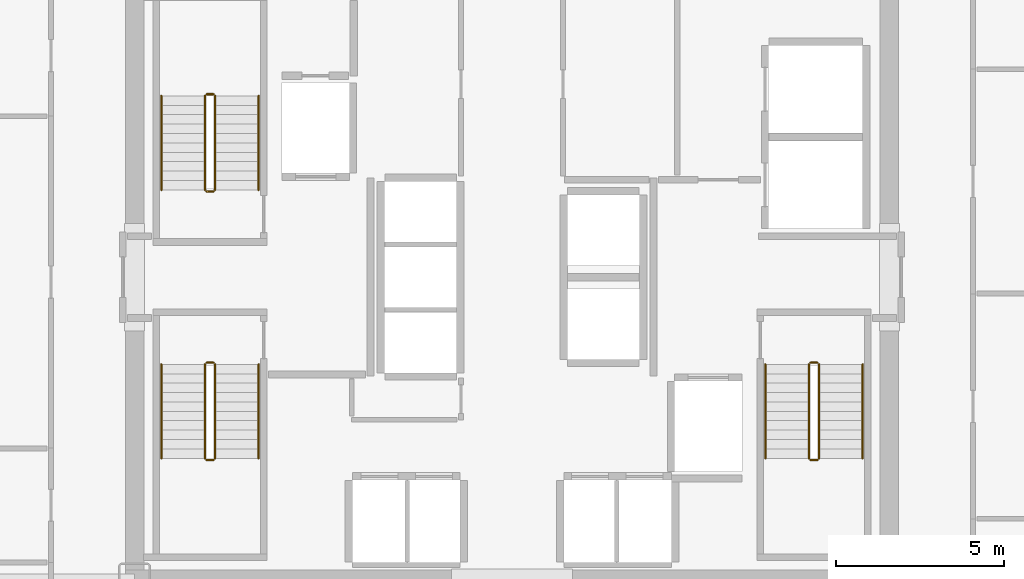
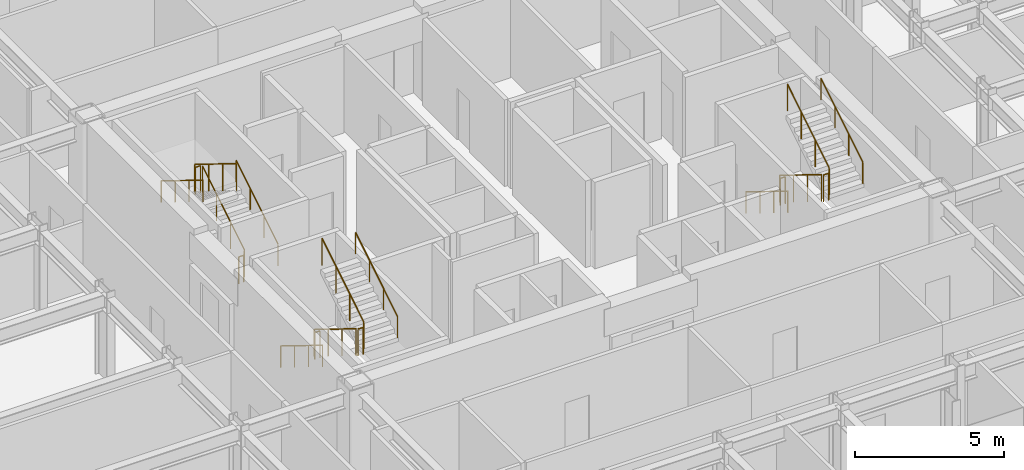
# One storey, part 26 of 26: 18 railings.
"""IFC4 building model written with IfcOpenShell, lengths in metres."""

from ifc_helpers import new_model, si_unit, direction, frame, origin, origin_2d, place, context, subcontext, project, spatial, circle, extrude, material, type_object, element, save


model = new_model("IFC4")

# Units and contexts
model_context = context("Model", 3, precision=1e-05, world=origin(), true_north=direction((0.0, 1.0)))
body_context = subcontext(model_context, "Body", "Model", "MODEL_VIEW")
ifc_project = project(units=[si_unit("LENGTHUNIT", "METRE"), si_unit("AREAUNIT", "SQUARE_METRE"), si_unit("VOLUMEUNIT", "CUBIC_METRE"), si_unit("PLANEANGLEUNIT", "RADIAN"), si_unit("MASSUNIT", "GRAM", prefix="KILO")], contexts=[model_context])

# Site, building, storey
site_placement = place(None, origin())
site = spatial("IfcSite", under=ifc_project, at=site_placement, CompositionType="ELEMENT")
building_placement = place(site_placement, origin())
building = spatial("IfcBuilding", under=site, at=building_placement, Name="Nefas-Gora Pilgrimage Tower", CompositionType="ELEMENT")
storey_placement = place(building_placement, frame((0.0, 0.0, 160.199951171875)))
storey = spatial("IfcBuildingStorey", under=building, at=storey_placement, Name="L39", CompositionType="ELEMENT", Elevation=160.199951171875)

# Railings
ifc_material_1 = material(Name="Painted galvanised steel", Category="steel")
railing_type_1 = type_object("IfcRailingType", Name="RLG-STR-GUARD-1100", PredefinedType="GUARDRAIL", material=ifc_material_1)
railing_1_placement = place(storey_placement, frame((-8.85009765625, 2.60009765625, 0.1728515625)))
element("IfcRailing", 1, at=railing_1_placement, inside=storey, type_object=railing_type_1, Name="L39 ST-01 stair guard 1", PredefinedType="GUARDRAIL", context=body_context, shape_type="SweptSolid", body=[
    extrude(circle(Radius=0.02392578125, at=origin_2d()), frame((0.0, 0.0, 1.09619140625), z_axis=(0.0, 0.851069175582, 0.525053576669), x_axis=(-1.0, 0.0, 0.0)), (0.0, 0.0, 1.0), 3.289794921875),
    extrude(circle(Radius=0.02099609375, at=origin_2d()), origin(), (0.0, 0.0, 1.0), 1.072021484375),
    extrude(circle(Radius=0.02099609375, at=origin_2d()), frame((0.0, 0.933349609375, 0.57568359375)), (0.0, 0.0, 1.0), 1.072021484375),
    extrude(circle(Radius=0.02099609375, at=origin_2d()), frame((0.0, 1.866455078125, 1.151611328125)), (0.0, 0.0, 1.0), 1.072021484375),
    extrude(circle(Radius=0.02099609375, at=origin_2d()), frame((0.0, 2.7998046875, 1.727294921875)), (0.0, 0.0, 1.0), 1.072021484375),
])
railing_2_placement = place(storey_placement, frame((-8.89990234375, 5.449951171875, 1.900146484375)))
element("IfcRailing", 2, at=railing_2_placement, inside=storey, type_object=railing_type_1, Name="L39 ST-01 stair guard 2", PredefinedType="GUARDRAIL", context=body_context, shape_type="SweptSolid", body=[
    extrude(circle(Radius=0.02392578125, at=origin_2d()), frame((0.0, 0.0, 1.09619140625), z_axis=(-1.0, 0.0, 0.0), x_axis=(0.0, -1.0, 0.0)), (0.0, 0.0, 1.0), 0.2001953125),
    extrude(circle(Radius=0.02099609375, at=origin_2d()), origin(), (0.0, 0.0, 1.0), 1.072021484375),
    extrude(circle(Radius=0.02099609375, at=origin_2d()), frame((-0.2001953125, 0.0, 0.0)), (0.0, 0.0, 1.0), 1.072021484375),
])
railing_3_placement = place(storey_placement, frame((-9.14990234375, 5.39990234375, 2.07275390625)))
element("IfcRailing", 3, at=railing_3_placement, inside=storey, type_object=railing_type_1, Name="L39 ST-01 stair guard 3", PredefinedType="GUARDRAIL", context=body_context, shape_type="SweptSolid", body=[
    extrude(circle(Radius=0.02392578125, at=origin_2d()), frame((0.0, 0.0, 1.09619140625), z_axis=(0.0, -0.851069175582, 0.525053576669), x_axis=(1.0, 0.0, 0.0)), (0.0, 0.0, 1.0), 3.289794921875),
    extrude(circle(Radius=0.02099609375, at=origin_2d()), origin(), (0.0, 0.0, 1.0), 1.072021484375),
    extrude(circle(Radius=0.02099609375, at=origin_2d()), frame((0.0, -0.933349609375, 0.57568359375)), (0.0, 0.0, 1.0), 1.072021484375),
    extrude(circle(Radius=0.02099609375, at=origin_2d()), frame((0.0, -1.866455078125, 1.151611328125)), (0.0, 0.0, 1.0), 1.072021484375),
    extrude(circle(Radius=0.02099609375, at=origin_2d()), frame((0.0, -2.7998046875, 1.727294921875)), (0.0, 0.0, 1.0), 1.072021484375),
])
railing_4_placement = place(storey_placement, frame((-8.89990234375, 2.550048828125, 0.0)))
element("IfcRailing", 4, at=railing_4_placement, inside=storey, type_object=railing_type_1, Name="L39 ST-01 stair guard 4", PredefinedType="GUARDRAIL", context=body_context, shape_type="SweptSolid", body=[
    extrude(circle(Radius=0.02392578125, at=origin_2d()), frame((0.0, 0.0, 1.09619140625), z_axis=(-1.0, 0.0, 0.0), x_axis=(0.0, -1.0, 0.0)), (0.0, 0.0, 1.0), 0.2001953125),
    extrude(circle(Radius=0.02099609375, at=origin_2d()), origin(), (0.0, 0.0, 1.0), 1.072021484375),
    extrude(circle(Radius=0.02099609375, at=origin_2d()), frame((-0.2001953125, 0.0, 0.0)), (0.0, 0.0, 1.0), 1.072021484375),
])
railing_5_placement = place(storey_placement, frame((8.85009765625, -2.60009765625, 0.1728515625)))
element("IfcRailing", 5, at=railing_5_placement, inside=storey, type_object=railing_type_1, Name="L39 ST-02 stair guard 1", PredefinedType="GUARDRAIL", context=body_context, shape_type="SweptSolid", body=[
    extrude(circle(Radius=0.02392578125, at=origin_2d()), frame((0.0, 0.0, 1.09619140625), z_axis=(0.0, -0.851069175582, 0.525053576669), x_axis=(1.0, 0.0, 0.0)), (0.0, 0.0, 1.0), 3.289794921875),
    extrude(circle(Radius=0.02099609375, at=origin_2d()), origin(), (0.0, 0.0, 1.0), 1.072021484375),
    extrude(circle(Radius=0.02099609375, at=origin_2d()), frame((0.0, -0.933349609375, 0.57568359375)), (0.0, 0.0, 1.0), 1.072021484375),
    extrude(circle(Radius=0.02099609375, at=origin_2d()), frame((0.0, -1.866455078125, 1.151611328125)), (0.0, 0.0, 1.0), 1.072021484375),
    extrude(circle(Radius=0.02099609375, at=origin_2d()), frame((0.0, -2.7998046875, 1.727294921875)), (0.0, 0.0, 1.0), 1.072021484375),
])
railing_6_placement = place(storey_placement, frame((8.89990234375, -5.449951171875, 1.900146484375)))
element("IfcRailing", 6, at=railing_6_placement, inside=storey, type_object=railing_type_1, Name="L39 ST-02 stair guard 2", PredefinedType="GUARDRAIL", context=body_context, shape_type="SweptSolid", body=[
    extrude(circle(Radius=0.02392578125, at=origin_2d()), frame((0.0, 0.0, 1.09619140625), z_axis=(1.0, 0.0, 0.0), x_axis=(0.0, 1.0, 0.0)), (0.0, 0.0, 1.0), 0.2001953125),
    extrude(circle(Radius=0.02099609375, at=origin_2d()), origin(), (0.0, 0.0, 1.0), 1.072021484375),
    extrude(circle(Radius=0.02099609375, at=origin_2d()), frame((0.2001953125, 0.0, 0.0)), (0.0, 0.0, 1.0), 1.072021484375),
])
railing_7_placement = place(storey_placement, frame((9.14990234375, -5.39990234375, 2.07275390625)))
element("IfcRailing", 7, at=railing_7_placement, inside=storey, type_object=railing_type_1, Name="L39 ST-02 stair guard 3", PredefinedType="GUARDRAIL", context=body_context, shape_type="SweptSolid", body=[
    extrude(circle(Radius=0.02392578125, at=origin_2d()), frame((0.0, 0.0, 1.09619140625), z_axis=(0.0, 0.851069175582, 0.525053576669), x_axis=(-1.0, 0.0, 0.0)), (0.0, 0.0, 1.0), 3.289794921875),
    extrude(circle(Radius=0.02099609375, at=origin_2d()), origin(), (0.0, 0.0, 1.0), 1.072021484375),
    extrude(circle(Radius=0.02099609375, at=origin_2d()), frame((0.0, 0.933349609375, 0.57568359375)), (0.0, 0.0, 1.0), 1.072021484375),
    extrude(circle(Radius=0.02099609375, at=origin_2d()), frame((0.0, 1.866455078125, 1.151611328125)), (0.0, 0.0, 1.0), 1.072021484375),
    extrude(circle(Radius=0.02099609375, at=origin_2d()), frame((0.0, 2.7998046875, 1.727294921875)), (0.0, 0.0, 1.0), 1.072021484375),
])
railing_8_placement = place(storey_placement, frame((8.89990234375, -2.550048828125, 0.0)))
element("IfcRailing", 8, at=railing_8_placement, inside=storey, type_object=railing_type_1, Name="L39 ST-02 stair guard 4", PredefinedType="GUARDRAIL", context=body_context, shape_type="SweptSolid", body=[
    extrude(circle(Radius=0.02392578125, at=origin_2d()), frame((0.0, 0.0, 1.09619140625), z_axis=(1.0, 0.0, 0.0), x_axis=(0.0, 1.0, 0.0)), (0.0, 0.0, 1.0), 0.2001953125),
    extrude(circle(Radius=0.02099609375, at=origin_2d()), origin(), (0.0, 0.0, 1.0), 1.072021484375),
    extrude(circle(Radius=0.02099609375, at=origin_2d()), frame((0.2001953125, 0.0, 0.0)), (0.0, 0.0, 1.0), 1.072021484375),
])
railing_9_placement = place(storey_placement, frame((-9.14990234375, -2.60009765625, 0.1728515625)))
element("IfcRailing", 9, at=railing_9_placement, inside=storey, type_object=railing_type_1, Name="L39 ST-03 stair guard 1", PredefinedType="GUARDRAIL", context=body_context, shape_type="SweptSolid", body=[
    extrude(circle(Radius=0.02392578125, at=origin_2d()), frame((0.0, 0.0, 1.09619140625), z_axis=(0.0, -0.851069175582, 0.525053576669), x_axis=(1.0, 0.0, 0.0)), (0.0, 0.0, 1.0), 3.289794921875),
    extrude(circle(Radius=0.02099609375, at=origin_2d()), origin(), (0.0, 0.0, 1.0), 1.072021484375),
    extrude(circle(Radius=0.02099609375, at=origin_2d()), frame((0.0, -0.933349609375, 0.57568359375)), (0.0, 0.0, 1.0), 1.072021484375),
    extrude(circle(Radius=0.02099609375, at=origin_2d()), frame((0.0, -1.866455078125, 1.151611328125)), (0.0, 0.0, 1.0), 1.072021484375),
    extrude(circle(Radius=0.02099609375, at=origin_2d()), frame((0.0, -2.7998046875, 1.727294921875)), (0.0, 0.0, 1.0), 1.072021484375),
])
railing_10_placement = place(storey_placement, frame((-9.10009765625, -5.449951171875, 1.900146484375)))
element("IfcRailing", 10, at=railing_10_placement, inside=storey, type_object=railing_type_1, Name="L39 ST-03 stair guard 2", PredefinedType="GUARDRAIL", context=body_context, shape_type="SweptSolid", body=[
    extrude(circle(Radius=0.02392578125, at=origin_2d()), frame((0.0, 0.0, 1.09619140625), z_axis=(1.0, 0.0, 0.0), x_axis=(0.0, 1.0, 0.0)), (0.0, 0.0, 1.0), 0.2001953125),
    extrude(circle(Radius=0.02099609375, at=origin_2d()), origin(), (0.0, 0.0, 1.0), 1.072021484375),
    extrude(circle(Radius=0.02099609375, at=origin_2d()), frame((0.2001953125, 0.0, 0.0)), (0.0, 0.0, 1.0), 1.072021484375),
])
railing_11_placement = place(storey_placement, frame((-8.85009765625, -5.39990234375, 2.07275390625)))
element("IfcRailing", 11, at=railing_11_placement, inside=storey, type_object=railing_type_1, Name="L39 ST-03 stair guard 3", PredefinedType="GUARDRAIL", context=body_context, shape_type="SweptSolid", body=[
    extrude(circle(Radius=0.02392578125, at=origin_2d()), frame((0.0, 0.0, 1.09619140625), z_axis=(0.0, 0.851069175582, 0.525053576669), x_axis=(-1.0, 0.0, 0.0)), (0.0, 0.0, 1.0), 3.289794921875),
    extrude(circle(Radius=0.02099609375, at=origin_2d()), origin(), (0.0, 0.0, 1.0), 1.072021484375),
    extrude(circle(Radius=0.02099609375, at=origin_2d()), frame((0.0, 0.933349609375, 0.57568359375)), (0.0, 0.0, 1.0), 1.072021484375),
    extrude(circle(Radius=0.02099609375, at=origin_2d()), frame((0.0, 1.866455078125, 1.151611328125)), (0.0, 0.0, 1.0), 1.072021484375),
    extrude(circle(Radius=0.02099609375, at=origin_2d()), frame((0.0, 2.7998046875, 1.727294921875)), (0.0, 0.0, 1.0), 1.072021484375),
])
railing_12_placement = place(storey_placement, frame((-9.10009765625, -2.550048828125, 0.0)))
element("IfcRailing", 12, at=railing_12_placement, inside=storey, type_object=railing_type_1, Name="L39 ST-03 stair guard 4", PredefinedType="GUARDRAIL", context=body_context, shape_type="SweptSolid", body=[
    extrude(circle(Radius=0.02392578125, at=origin_2d()), frame((0.0, 0.0, 1.09619140625), z_axis=(1.0, 0.0, 0.0), x_axis=(0.0, 1.0, 0.0)), (0.0, 0.0, 1.0), 0.2001953125),
    extrude(circle(Radius=0.02099609375, at=origin_2d()), origin(), (0.0, 0.0, 1.0), 1.072021484375),
    extrude(circle(Radius=0.02099609375, at=origin_2d()), frame((0.2001953125, 0.0, 0.0)), (0.0, 0.0, 1.0), 1.072021484375),
])
ifc_material_2 = material(Name="Brushed stainless steel", Category="steel")
railing_type_2 = type_object("IfcRailingType", Name="RLG-STR-HAND-900", PredefinedType="HANDRAIL", material=ifc_material_2)
railing_13_placement = place(storey_placement, frame((-7.550048828125, 2.60009765625, 0.1728515625)))
element("IfcRailing", 13, at=railing_13_placement, inside=storey, type_object=railing_type_2, Name="L39 ST-01 stair handrail 1", PredefinedType="HANDRAIL", context=body_context, shape_type="SweptSolid", body=[
    extrude(circle(Radius=0.02392578125, at=origin_2d()), frame((0.0, 0.0, 0.8759765625), z_axis=(0.0, 0.851069175582, 0.525053576669), x_axis=(-1.0, 0.0, 0.0)), (0.0, 0.0, 1.0), 3.289794921875),
    extrude(circle(Radius=0.02099609375, at=origin_2d()), origin(), (0.0, 0.0, 1.0), 0.851806640625),
    extrude(circle(Radius=0.02099609375, at=origin_2d()), frame((0.0, 0.933349609375, 0.57568359375)), (0.0, 0.0, 1.0), 0.851806640625),
    extrude(circle(Radius=0.02099609375, at=origin_2d()), frame((0.0, 1.866455078125, 1.151611328125)), (0.0, 0.0, 1.0), 0.851806640625),
    extrude(circle(Radius=0.02099609375, at=origin_2d()), frame((0.0, 2.7998046875, 1.727294921875)), (0.0, 0.0, 1.0), 0.851806640625),
])
for number, where, name in (
    (14, (-10.449951171875, 5.39990234375, 2.07275390625), "L39 ST-01 stair handrail 2"),
    (15, (7.550048828125, -2.60009765625, 0.1728515625), "L39 ST-02 stair handrail 1"),
):
    element("IfcRailing", number, at=place(storey_placement, frame(where)), inside=storey, type_object=railing_type_2, Name=name, PredefinedType="HANDRAIL", context=body_context, shape_type="SweptSolid", body=[
        extrude(circle(Radius=0.02392578125, at=origin_2d()), frame((0.0, 0.0, 0.8759765625), z_axis=(0.0, -0.851069175582, 0.525053576669), x_axis=(1.0, 0.0, 0.0)), (0.0, 0.0, 1.0), 3.289794921875),
        extrude(circle(Radius=0.02099609375, at=origin_2d()), origin(), (0.0, 0.0, 1.0), 0.851806640625),
        extrude(circle(Radius=0.02099609375, at=origin_2d()), frame((0.0, -0.933349609375, 0.57568359375)), (0.0, 0.0, 1.0), 0.851806640625),
        extrude(circle(Radius=0.02099609375, at=origin_2d()), frame((0.0, -1.866455078125, 1.151611328125)), (0.0, 0.0, 1.0), 0.851806640625),
        extrude(circle(Radius=0.02099609375, at=origin_2d()), frame((0.0, -2.7998046875, 1.727294921875)), (0.0, 0.0, 1.0), 0.851806640625),
    ])
railing_14_placement = place(storey_placement, frame((10.449951171875, -5.39990234375, 2.07275390625)))
element("IfcRailing", 16, at=railing_14_placement, inside=storey, type_object=railing_type_2, Name="L39 ST-02 stair handrail 2", PredefinedType="HANDRAIL", context=body_context, shape_type="SweptSolid", body=[
    extrude(circle(Radius=0.02392578125, at=origin_2d()), frame((0.0, 0.0, 0.8759765625), z_axis=(0.0, 0.851069175582, 0.525053576669), x_axis=(-1.0, 0.0, 0.0)), (0.0, 0.0, 1.0), 3.289794921875),
    extrude(circle(Radius=0.02099609375, at=origin_2d()), origin(), (0.0, 0.0, 1.0), 0.851806640625),
    extrude(circle(Radius=0.02099609375, at=origin_2d()), frame((0.0, 0.933349609375, 0.57568359375)), (0.0, 0.0, 1.0), 0.851806640625),
    extrude(circle(Radius=0.02099609375, at=origin_2d()), frame((0.0, 1.866455078125, 1.151611328125)), (0.0, 0.0, 1.0), 0.851806640625),
    extrude(circle(Radius=0.02099609375, at=origin_2d()), frame((0.0, 2.7998046875, 1.727294921875)), (0.0, 0.0, 1.0), 0.851806640625),
])
railing_15_placement = place(storey_placement, frame((-10.449951171875, -2.60009765625, 0.1728515625)))
element("IfcRailing", 17, at=railing_15_placement, inside=storey, type_object=railing_type_2, Name="L39 ST-03 stair handrail 1", PredefinedType="HANDRAIL", context=body_context, shape_type="SweptSolid", body=[
    extrude(circle(Radius=0.02392578125, at=origin_2d()), frame((0.0, 0.0, 0.8759765625), z_axis=(0.0, -0.851069175582, 0.525053576669), x_axis=(1.0, 0.0, 0.0)), (0.0, 0.0, 1.0), 3.289794921875),
    extrude(circle(Radius=0.02099609375, at=origin_2d()), origin(), (0.0, 0.0, 1.0), 0.851806640625),
    extrude(circle(Radius=0.02099609375, at=origin_2d()), frame((0.0, -0.933349609375, 0.57568359375)), (0.0, 0.0, 1.0), 0.851806640625),
    extrude(circle(Radius=0.02099609375, at=origin_2d()), frame((0.0, -1.866455078125, 1.151611328125)), (0.0, 0.0, 1.0), 0.851806640625),
    extrude(circle(Radius=0.02099609375, at=origin_2d()), frame((0.0, -2.7998046875, 1.727294921875)), (0.0, 0.0, 1.0), 0.851806640625),
])
railing_16_placement = place(storey_placement, frame((-7.550048828125, -5.39990234375, 2.07275390625)))
element("IfcRailing", 18, at=railing_16_placement, inside=storey, type_object=railing_type_2, Name="L39 ST-03 stair handrail 2", PredefinedType="HANDRAIL", context=body_context, shape_type="SweptSolid", body=[
    extrude(circle(Radius=0.02392578125, at=origin_2d()), frame((0.0, 0.0, 0.8759765625), z_axis=(0.0, 0.851069175582, 0.525053576669), x_axis=(-1.0, 0.0, 0.0)), (0.0, 0.0, 1.0), 3.289794921875),
    extrude(circle(Radius=0.02099609375, at=origin_2d()), origin(), (0.0, 0.0, 1.0), 0.851806640625),
    extrude(circle(Radius=0.02099609375, at=origin_2d()), frame((0.0, 0.933349609375, 0.57568359375)), (0.0, 0.0, 1.0), 0.851806640625),
    extrude(circle(Radius=0.02099609375, at=origin_2d()), frame((0.0, 1.866455078125, 1.151611328125)), (0.0, 0.0, 1.0), 0.851806640625),
    extrude(circle(Radius=0.02099609375, at=origin_2d()), frame((0.0, 2.7998046875, 1.727294921875)), (0.0, 0.0, 1.0), 0.851806640625),
])

save(model, "model.ifc")
